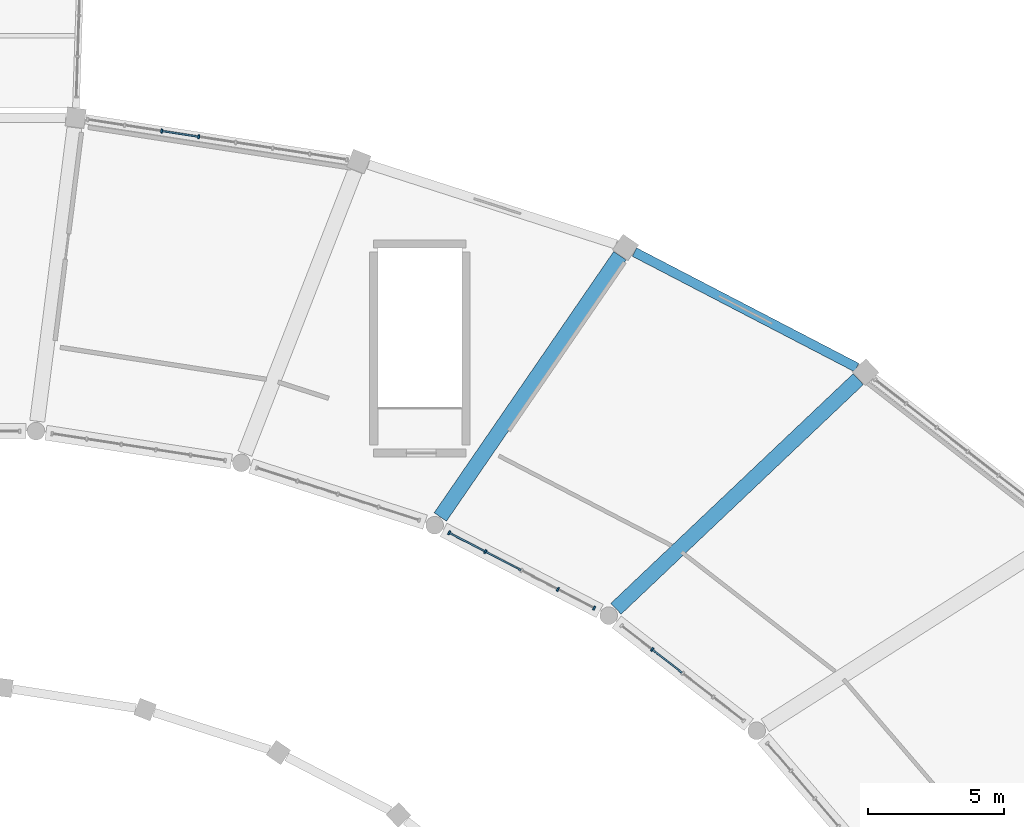
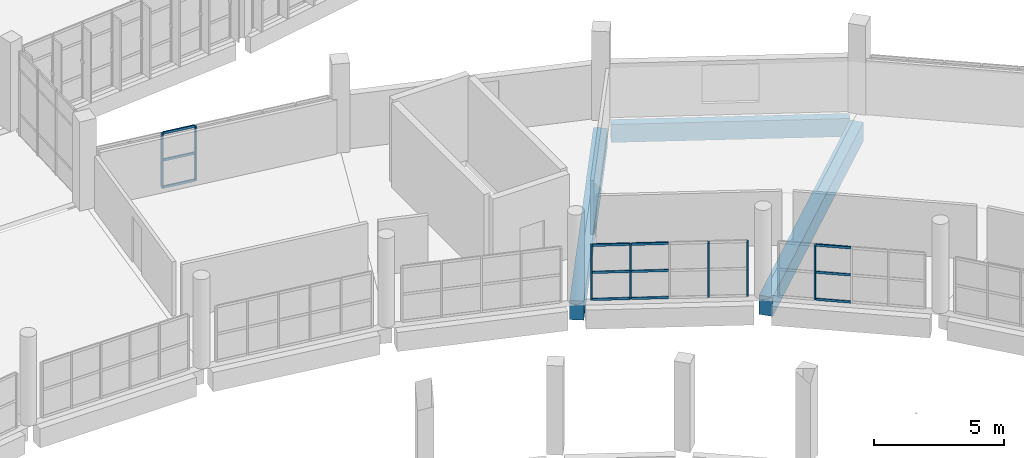
# One storey, part 33 of 142: 19 members, 3 beams, 3 elements without a shape of their own.
"""IFC4 building model written with IfcOpenShell, lengths in metres."""

from ifc_helpers import new_model, si_unit, direction, frame, origin, origin_2d, place, context, subcontext, project, spatial, rectangle, extrude, material, layer, layer_set, material_profile, profile_set, type_object, element, aggregate, save


model = new_model("IFC4")

# Units and contexts
model_context = context("Model", 3, precision=1e-05, world=origin(), true_north=direction((0.0, 1.0)))
body_context = subcontext(model_context, "Body", "Model", "MODEL_VIEW")
ifc_project = project(units=[si_unit("LENGTHUNIT", "METRE"), si_unit("AREAUNIT", "SQUARE_METRE"), si_unit("VOLUMEUNIT", "CUBIC_METRE"), si_unit("PLANEANGLEUNIT", "RADIAN"), si_unit("MASSUNIT", "GRAM", prefix="KILO")], contexts=[model_context])

# Site, building, storey
site_placement = place(None, origin())
site = spatial("IfcSite", under=ifc_project, at=site_placement, CompositionType="ELEMENT")
building_placement = place(site_placement, origin())
building = spatial("IfcBuilding", under=site, at=building_placement, Name="Corvandel Quay Wholesale Market", CompositionType="ELEMENT")
storey_placement = place(building_placement, frame((0.0, 0.0, 10.800048828125)))
storey = spatial("IfcBuildingStorey", under=building, at=storey_placement, Name="L02", CompositionType="ELEMENT", Elevation=10.800048828125)

# Curtain wall, member
ifc_material_1 = material(Name="Bronze anodised aluminium and low-E insulated glazing", Category="aluminium")
ifc_layer_1 = layer(ifc_material_1, 0.14990234375)
ifc_layer_set_1 = layer_set([ifc_layer_1], Name="Bronze anodised aluminium and low-E insulated glazing")
curtain_wall_type_1 = type_object("IfcCurtainWallType", Name="Stick Curtain Wall System CW25 H5250", PredefinedType="NOTDEFINED", material=ifc_layer_set_1)
curtain_wall_1_placement = place(storey_placement, origin())
curtain_wall_1 = element("IfcCurtainWall", 1, at=curtain_wall_1_placement, inside=storey, type_object=curtain_wall_type_1, Name="Curtain Wall CW-0011", PredefinedType="NOTDEFINED")
ifc_material_2 = material(Name="Anodised aluminium 6063-T6", Category="aluminium")
ifc_material_profile_1 = material_profile(ifc_material_2, rectangle(XDim=0.06494140625, YDim=0.14990234375, at=origin_2d()), Name="ALU-MUL-65x150")
ifc_profile_set_1 = profile_set([ifc_material_profile_1], Name="Anodised aluminium 6063-T6")
member_type_1 = type_object("IfcMemberType", Name="Curtain Wall Mullion ML02 65x150", PredefinedType="MULLION", material=ifc_profile_set_1)
member_1_placement = place(storey_placement, frame((140.55712890625, 64.40771484375, 0.0), z_axis=(0.0, 0.0, 1.0), x_axis=(-0.789405615633, 0.613871952452, 0.0)))
member_1 = element("IfcMember", 2, at=member_1_placement, type_object=member_type_1, Name="Mullion CW-0011-M03", PredefinedType="MULLION", context=body_context, shape_type="SweptSolid", body=[
    extrude(rectangle(XDim=0.06494140625, YDim=0.14990234375, at=origin_2d()), origin(), (0.0, 0.0, 1.0), 2.550048828125),
])

# Curtain wall, members
ifc_layer_2 = layer(ifc_material_1, 0.162109375)
ifc_layer_set_2 = layer_set([ifc_layer_2], Name="Bronze anodised aluminium and low-E insulated glazing")
curtain_wall_type_2 = type_object("IfcCurtainWallType", Name="Stick Curtain Wall System CW26 H5340", PredefinedType="NOTDEFINED", material=ifc_layer_set_2)
curtain_wall_2_placement = place(storey_placement, origin())
curtain_wall_2 = element("IfcCurtainWall", 3, at=curtain_wall_2_placement, inside=storey, type_object=curtain_wall_type_2, Name="Curtain Wall CW-0015", PredefinedType="NOTDEFINED")
member_2_placement = place(storey_placement, frame((138.424560546875, 65.9287109375, 0.0), z_axis=(0.0, 0.0, 1.0), x_axis=(-0.887332978338, 0.461129250378, 0.0)))
member_2 = element("IfcMember", 4, at=member_2_placement, type_object=member_type_1, Name="Mullion CW-0015-M00", PredefinedType="MULLION", context=body_context, shape_type="SweptSolid", body=[
    extrude(rectangle(XDim=0.06494140625, YDim=0.14990234375, at=origin_2d()), origin(), (0.0, 0.0, 1.0), 2.550048828125),
])
member_3_placement = place(storey_placement, frame((137.08740234375, 66.623291015625, 0.0), z_axis=(0.0, 0.0, 1.0), x_axis=(-0.887332978338, 0.461129250378, 0.0)))
member_3 = element("IfcMember", 5, at=member_3_placement, type_object=member_type_1, Name="Mullion CW-0015-M01", PredefinedType="MULLION", context=body_context, shape_type="SweptSolid", body=[
    extrude(rectangle(XDim=0.06494140625, YDim=0.14990234375, at=origin_2d()), origin(), (0.0, 0.0, 1.0), 2.550048828125),
])
member_4_placement = place(storey_placement, frame((134.41357421875, 68.0126953125, 0.0), z_axis=(0.0, 0.0, 1.0), x_axis=(-0.887332978338, 0.461129250378, 0.0)))
member_4 = element("IfcMember", 6, at=member_4_placement, type_object=member_type_1, Name="Mullion CW-0015-M03", PredefinedType="MULLION", context=body_context, shape_type="SweptSolid", body=[
    extrude(rectangle(XDim=0.06494140625, YDim=0.14990234375, at=origin_2d()), origin(), (0.0, 0.0, 1.0), 2.550048828125),
])
member_5_placement = place(storey_placement, frame((133.076416015625, 68.70751953125, 0.0), z_axis=(0.0, 0.0, 1.0), x_axis=(-0.887332978338, 0.461129250378, 0.0)))
member_5 = element("IfcMember", 7, at=member_5_placement, type_object=member_type_1, Name="Mullion CW-0015-M04", PredefinedType="MULLION", context=body_context, shape_type="SweptSolid", body=[
    extrude(rectangle(XDim=0.06494140625, YDim=0.14990234375, at=origin_2d()), origin(), (0.0, 0.0, 1.0), 2.550048828125),
])

ifc_layer_3 = layer(ifc_material_1, 0.14990234375)
ifc_layer_set_3 = layer_set([ifc_layer_3], Name="Bronze anodised aluminium and low-E insulated glazing")
curtain_wall_type_3 = type_object("IfcCurtainWallType", Name="Stick Curtain Wall System CW15 H4350", PredefinedType="NOTDEFINED", material=ifc_layer_set_3)
curtain_wall_3_placement = place(storey_placement, origin())
curtain_wall_3 = element("IfcCurtainWall", 8, at=curtain_wall_3_placement, inside=storey, type_object=curtain_wall_type_3, Name="Curtain Wall CW-0019", PredefinedType="NOTDEFINED")
member_6_placement = place(storey_placement, frame((123.853515625, 83.298583984375, 0.0), z_axis=(0.0, 0.0, 1.0), x_axis=(-0.98825506746, 0.152813355565, 0.0)))
member_6 = element("IfcMember", 9, at=member_6_placement, type_object=member_type_1, Name="Mullion CW-0019-M04", PredefinedType="MULLION", context=body_context, shape_type="SweptSolid", body=[
    extrude(rectangle(XDim=0.06494140625, YDim=0.14990234375, at=origin_2d()), origin(), (0.0, 0.0, 1.0), 2.550048828125),
])
member_7_placement = place(storey_placement, frame((122.490234375, 83.509521484375, 0.0), z_axis=(0.0, 0.0, 1.0), x_axis=(-0.98825506746, 0.152813355565, 0.0)))
member_7 = element("IfcMember", 10, at=member_7_placement, type_object=member_type_1, Name="Mullion CW-0019-M05", PredefinedType="MULLION", context=body_context, shape_type="SweptSolid", body=[
    extrude(rectangle(XDim=0.06494140625, YDim=0.14990234375, at=origin_2d()), origin(), (0.0, 0.0, 1.0), 2.550048828125),
])

# Member
ifc_material_profile_2 = material_profile(ifc_material_2, rectangle(XDim=0.06005859375, YDim=0.110107421875, at=origin_2d()), Name="ALU-TRN-60x110")
ifc_profile_set_2 = profile_set([ifc_material_profile_2], Name="Anodised aluminium 6063-T6")
member_type_2 = type_object("IfcMemberType", Name="Curtain Wall Transom TR02 60x110", PredefinedType="USERDEFINED", material=ifc_profile_set_2)
member_8_placement = place(storey_placement, frame((141.65771484375, 63.551513671875, 0.0), z_axis=(-0.789313604412, 0.613990255533, 0.0), x_axis=(-0.613990255533, -0.789313604412, 0.0)))
member_8 = element("IfcMember", 11, at=member_8_placement, type_object=member_type_2, Name="Transom CW-0011-T02-0", ObjectType="TRANSOM", PredefinedType="USERDEFINED", context=body_context, shape_type="SweptSolid", body=[
    extrude(rectangle(XDim=0.06005859375, YDim=0.110107421875, at=origin_2d()), origin(), (0.0, 0.0, 1.0), 1.36181640625),
])

member_9_placement = place(storey_placement, frame((141.65771484375, 63.551513671875, 1.27490234375), z_axis=(-0.789313604412, 0.613990255533, 0.0), x_axis=(-0.613990255533, -0.789313604412, 0.0)))
member_9 = element("IfcMember", 12, at=member_9_placement, type_object=member_type_2, Name="Transom CW-0011-T02-1", ObjectType="TRANSOM", PredefinedType="USERDEFINED", context=body_context, shape_type="SweptSolid", body=[
    extrude(rectangle(XDim=0.06005859375, YDim=0.110107421875, at=origin_2d()), origin(), (0.0, 0.0, 1.0), 1.36181640625),
])

member_10_placement = place(storey_placement, frame((141.65771484375, 63.551513671875, 2.550048828125), z_axis=(-0.789313604412, 0.613990255533, 0.0), x_axis=(-0.613990255533, -0.789313604412, 0.0)))
member_10 = element("IfcMember", 13, at=member_10_placement, type_object=member_type_2, Name="Transom CW-0011-T02-2", ObjectType="TRANSOM", PredefinedType="USERDEFINED", context=body_context, shape_type="SweptSolid", body=[
    extrude(rectangle(XDim=0.06005859375, YDim=0.110107421875, at=origin_2d()), origin(), (0.0, 0.0, 1.0), 1.36181640625),
])

aggregate(curtain_wall_1, [member_1, member_8, member_9, member_10])

member_11_placement = place(storey_placement, frame((135.7216796875, 67.3330078125, 0.0), z_axis=(-0.887341534399, 0.46111278591, 0.0), x_axis=(-0.46111278591, -0.887341534399, 0.0)))
member_11 = element("IfcMember", 14, at=member_11_placement, type_object=member_type_2, Name="Transom CW-0015-T02-0", ObjectType="TRANSOM", PredefinedType="USERDEFINED", context=body_context, shape_type="SweptSolid", body=[
    extrude(rectangle(XDim=0.06005859375, YDim=0.110107421875, at=origin_2d()), origin(), (0.0, 0.0, 1.0), 1.441650390625),
])

member_12_placement = place(storey_placement, frame((135.7216796875, 67.3330078125, 1.27490234375), z_axis=(-0.887341534399, 0.46111278591, 0.0), x_axis=(-0.46111278591, -0.887341534399, 0.0)))
member_12 = element("IfcMember", 15, at=member_12_placement, type_object=member_type_2, Name="Transom CW-0015-T02-1", ObjectType="TRANSOM", PredefinedType="USERDEFINED", context=body_context, shape_type="SweptSolid", body=[
    extrude(rectangle(XDim=0.06005859375, YDim=0.110107421875, at=origin_2d()), origin(), (0.0, 0.0, 1.0), 1.441650390625),
])

member_13_placement = place(storey_placement, frame((135.7216796875, 67.3330078125, 2.550048828125), z_axis=(-0.887341534399, 0.46111278591, 0.0), x_axis=(-0.46111278591, -0.887341534399, 0.0)))
member_13 = element("IfcMember", 16, at=member_13_placement, type_object=member_type_2, Name="Transom CW-0015-T02-2", ObjectType="TRANSOM", PredefinedType="USERDEFINED", context=body_context, shape_type="SweptSolid", body=[
    extrude(rectangle(XDim=0.06005859375, YDim=0.110107421875, at=origin_2d()), origin(), (0.0, 0.0, 1.0), 1.441650390625),
])

member_14_placement = place(storey_placement, frame((134.384521484375, 68.027587890625, 0.0), z_axis=(-0.887341534399, 0.46111278591, 0.0), x_axis=(-0.46111278591, -0.887341534399, 0.0)))
member_14 = element("IfcMember", 17, at=member_14_placement, type_object=member_type_2, Name="Transom CW-0015-T03-0", ObjectType="TRANSOM", PredefinedType="USERDEFINED", context=body_context, shape_type="SweptSolid", body=[
    extrude(rectangle(XDim=0.06005859375, YDim=0.110107421875, at=origin_2d()), origin(), (0.0, 0.0, 1.0), 1.441650390625),
])

member_15_placement = place(storey_placement, frame((134.384521484375, 68.027587890625, 1.27490234375), z_axis=(-0.887341534399, 0.46111278591, 0.0), x_axis=(-0.46111278591, -0.887341534399, 0.0)))
member_15 = element("IfcMember", 18, at=member_15_placement, type_object=member_type_2, Name="Transom CW-0015-T03-1", ObjectType="TRANSOM", PredefinedType="USERDEFINED", context=body_context, shape_type="SweptSolid", body=[
    extrude(rectangle(XDim=0.06005859375, YDim=0.110107421875, at=origin_2d()), origin(), (0.0, 0.0, 1.0), 1.441650390625),
])

member_16_placement = place(storey_placement, frame((134.384521484375, 68.027587890625, 2.550048828125), z_axis=(-0.887341534399, 0.46111278591, 0.0), x_axis=(-0.46111278591, -0.887341534399, 0.0)))
member_16 = element("IfcMember", 19, at=member_16_placement, type_object=member_type_2, Name="Transom CW-0015-T03-2", ObjectType="TRANSOM", PredefinedType="USERDEFINED", context=body_context, shape_type="SweptSolid", body=[
    extrude(rectangle(XDim=0.06005859375, YDim=0.110107421875, at=origin_2d()), origin(), (0.0, 0.0, 1.0), 1.441650390625),
])

aggregate(curtain_wall_2, [member_2, member_3, member_4, member_5, member_11, member_12, member_13, member_14, member_15, member_16])

member_17_placement = place(storey_placement, frame((123.8212890625, 83.303466796875, 0.0), z_axis=(-0.988248991474, 0.152852644237, 0.0), x_axis=(-0.152852644237, -0.988248991474, 0.0)))
member_17 = element("IfcMember", 20, at=member_17_placement, type_object=member_type_2, Name="Transom CW-0019-T04-0", ObjectType="TRANSOM", PredefinedType="USERDEFINED", context=body_context, shape_type="SweptSolid", body=[
    extrude(rectangle(XDim=0.06005859375, YDim=0.110107421875, at=origin_2d()), origin(), (0.0, 0.0, 1.0), 1.314453125),
])

member_18_placement = place(storey_placement, frame((123.8212890625, 83.303466796875, 1.27490234375), z_axis=(-0.988248991474, 0.152852644237, 0.0), x_axis=(-0.152852644237, -0.988248991474, 0.0)))
member_18 = element("IfcMember", 21, at=member_18_placement, type_object=member_type_2, Name="Transom CW-0019-T04-1", ObjectType="TRANSOM", PredefinedType="USERDEFINED", context=body_context, shape_type="SweptSolid", body=[
    extrude(rectangle(XDim=0.06005859375, YDim=0.110107421875, at=origin_2d()), origin(), (0.0, 0.0, 1.0), 1.314453125),
])

member_19_placement = place(storey_placement, frame((123.8212890625, 83.303466796875, 2.550048828125), z_axis=(-0.988248991474, 0.152852644237, 0.0), x_axis=(-0.152852644237, -0.988248991474, 0.0)))
member_19 = element("IfcMember", 22, at=member_19_placement, type_object=member_type_2, Name="Transom CW-0019-T04-2", ObjectType="TRANSOM", PredefinedType="USERDEFINED", context=body_context, shape_type="SweptSolid", body=[
    extrude(rectangle(XDim=0.06005859375, YDim=0.110107421875, at=origin_2d()), origin(), (0.0, 0.0, 1.0), 1.314453125),
])

aggregate(curtain_wall_3, [member_6, member_7, member_17, member_18, member_19])

# Beams
ifc_material_3 = material(Name="Precast concrete C45/55", Category="concrete")
ifc_material_profile_3 = material_profile(ifc_material_3, rectangle(XDim=0.35009765625, YDim=0.85009765625, at=origin_2d()), Name="PC-SPN-350x850")
ifc_profile_set_3 = profile_set([ifc_material_profile_3], Name="Precast concrete C45/55")
beam_type_1 = type_object("IfcBeamType", Name="Perimeter Precast Spandrel SP01 350x850", PredefinedType="SPANDREL", material=ifc_profile_set_3)
beam_1_placement = place(storey_placement, frame((148.0947265625, 74.794677734375, -0.7451171875), z_axis=(-0.887343699642, 0.461108619205, 0.0), x_axis=(-0.461108619205, -0.887343699642, 0.0)))
element("IfcBeam", 23, at=beam_1_placement, inside=storey, type_object=beam_type_1, Name="Beam BM-0059", PredefinedType="SPANDREL", context=body_context, shape_type="SweptSolid", body=[
    extrude(rectangle(XDim=0.35009765625, YDim=0.85009765625, at=origin_2d()), origin(), (0.0, 0.0, 1.0), 9.22705078125),
])
ifc_material_profile_4 = material_profile(ifc_material_3, rectangle(XDim=0.550048828125, YDim=0.89990234375, at=origin_2d()), Name="PC-GIR-550x900")
ifc_profile_set_4 = profile_set([ifc_material_profile_4], Name="Precast concrete C45/55")
beam_type_2 = type_object("IfcBeamType", Name="Produce Hall Radial Girder G03 550x900", PredefinedType="USERDEFINED", material=ifc_profile_set_4)
beam_2_placement = place(storey_placement, frame((148.154541015625, 74.369384765625, -0.77001953125), z_axis=(-0.725795178722, -0.687910865261, 0.0), x_axis=(0.687910865261, -0.725795178722, 0.0)))
element("IfcBeam", 24, at=beam_2_placement, inside=storey, type_object=beam_type_2, Name="Beam BM-0062", ObjectType="GIRDER", PredefinedType="USERDEFINED", context=body_context, shape_type="SweptSolid", body=[
    extrude(rectangle(XDim=0.550048828125, YDim=0.89990234375, at=origin_2d()), origin(), (0.0, 0.0, 1.0), 12.30224609375),
])
beam_3_placement = place(storey_placement, frame((139.369384765625, 78.9150390625, -0.77001953125), z_axis=(-0.566394866966, -0.824134002863, 0.0), x_axis=(0.824134002863, -0.566394866966, 0.0)))
element("IfcBeam", 25, at=beam_3_placement, inside=storey, type_object=beam_type_2, Name="Beam BM-0074", ObjectType="GIRDER", PredefinedType="USERDEFINED", context=body_context, shape_type="SweptSolid", body=[
    extrude(rectangle(XDim=0.550048828125, YDim=0.89990234375, at=origin_2d()), origin(), (0.0, 0.0, 1.0), 11.680419921875),
])

save(model, "model.ifc")
